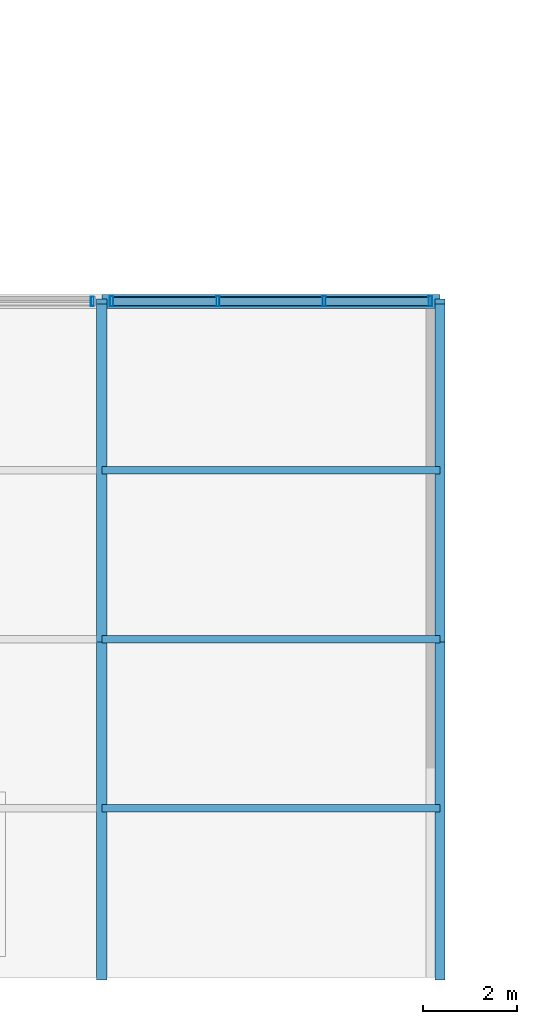
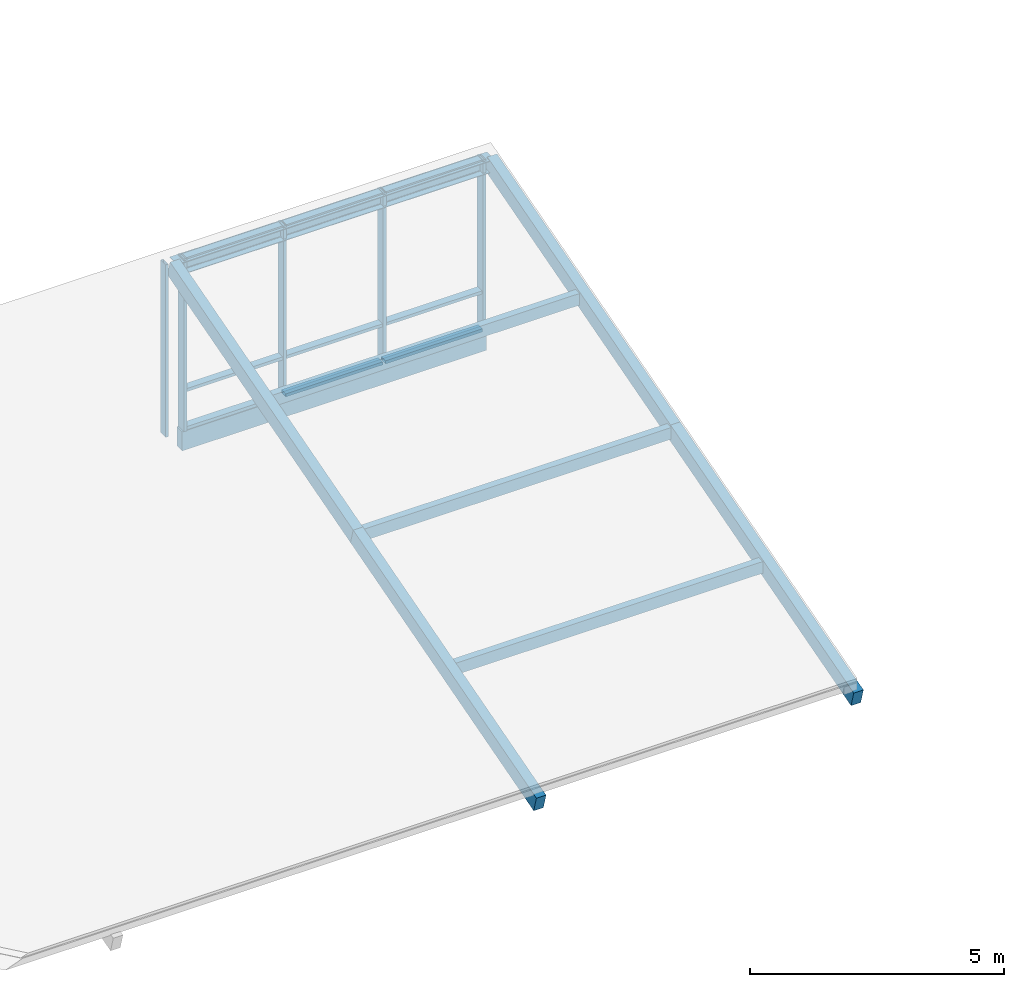
# One storey, part 20 of 32: 21 members, 2 beams, 2 elements without a shape of their own.
"""IFC4 building model written with IfcOpenShell, lengths in metres."""

from ifc_helpers import new_model, si_unit, direction, frame, origin, origin_2d, place, context, subcontext, project, spatial, rectangle, hollow_rectangle, i_section, extrude, material, material_profile, profile_set, type_object, element, aggregate, save


model = new_model("IFC4")

# Units and contexts
model_context = context("Model", 3, precision=1e-05, world=origin(), true_north=direction((0.0, 1.0)))
body_context = subcontext(model_context, "Body", "Model", "MODEL_VIEW")
ifc_project = project(units=[si_unit("LENGTHUNIT", "METRE"), si_unit("AREAUNIT", "SQUARE_METRE"), si_unit("VOLUMEUNIT", "CUBIC_METRE"), si_unit("PLANEANGLEUNIT", "RADIAN"), si_unit("MASSUNIT", "GRAM", prefix="KILO")], contexts=[model_context])

# Site, building, storey
site_placement = place(None, origin())
site = spatial("IfcSite", under=ifc_project, at=site_placement, CompositionType="ELEMENT")
building_placement = place(site_placement, origin())
building = spatial("IfcBuilding", under=site, at=building_placement, Name="Hawrajan Terrace Health Centre", CompositionType="ELEMENT")
storey_placement = place(building_placement, frame((0.0, 0.0, 17.39990234375)))
storey = spatial("IfcBuildingStorey", under=building, at=storey_placement, Name="L04", CompositionType="ELEMENT", Elevation=17.39990234375)

# Curtain wall, member
ifc_material_1 = material(Name="Anodized bronze aluminium and low-E solar glazing", Category="aluminium")
curtain_wall_type_1 = type_object("IfcCurtainWallType", Name="CW_Clerestory_SeriesG2", PredefinedType="USERDEFINED", material=ifc_material_1)
curtain_wall_1_placement = place(storey_placement, origin())
curtain_wall_1 = element("IfcCurtainWall", 1, at=curtain_wall_1_placement, inside=storey, type_object=curtain_wall_type_1, Name="Curtain wall CW-L04-CLER-184", ObjectType="UNITISED CURTAIN WALL", PredefinedType="USERDEFINED")
ifc_material_2 = material(Name="Anodized bronze aluminium 6063-T6", Category="aluminium")
ifc_material_profile_1 = material_profile(ifc_material_2, hollow_rectangle(XDim=0.06494140625, YDim=0.199951171875, WallThickness=0.00439453125, at=origin_2d()), Name="CW MUL 65x200")
ifc_profile_set_1 = profile_set([ifc_material_profile_1], Name="Anodized bronze aluminium 6063-T6")
member_type_1 = type_object("IfcMemberType", Name="CWMullion_65x200", PredefinedType="MULLION", material=ifc_profile_set_1)
member_1_placement = place(storey_placement, frame((100.3974609375, 18.60009765625, -0.204833984375), z_axis=(0.0, 0.0, 1.0), x_axis=(1.0, 0.0, 0.0)))
member_1 = element("IfcMember", 2, at=member_1_placement, type_object=member_type_1, Name="Mullion CW-L04-CLER-184-M5", PredefinedType="MULLION", context=body_context, shape_type="SweptSolid", body=[
    extrude(hollow_rectangle(XDim=0.06494140625, YDim=0.199951171875, WallThickness=0.00439453125, at=origin_2d()), origin(), (0.0, 0.0, 1.0), 4.138916015625),
])
aggregate(curtain_wall_1, [member_1])

# Curtain wall, members
curtain_wall_type_2 = type_object("IfcCurtainWallType", Name="CW_Clerestory_SeriesG1", PredefinedType="USERDEFINED", material=ifc_material_1)
curtain_wall_2_placement = place(storey_placement, origin())
curtain_wall_2 = element("IfcCurtainWall", 3, at=curtain_wall_2_placement, inside=storey, type_object=curtain_wall_type_2, Name="Curtain wall CW-L04-CLER-185", ObjectType="UNITISED CURTAIN WALL", PredefinedType="USERDEFINED")
ifc_material_profile_2 = material_profile(ifc_material_2, hollow_rectangle(XDim=0.074951171875, YDim=0.219970703125, WallThickness=0.0048828125, at=origin_2d()), Name="CW MUL 75x220")
ifc_profile_set_2 = profile_set([ifc_material_profile_2], Name="Anodized bronze aluminium 6063-T6")
member_type_2 = type_object("IfcMemberType", Name="CWMullion_75x220", PredefinedType="MULLION", material=ifc_profile_set_2)
member_2_placement = place(storey_placement, frame((100.8076171875, 18.60009765625, -0.204833984375), z_axis=(0.0, 0.0, 1.0), x_axis=(1.0, 0.0, 0.0)))
member_2 = element("IfcMember", 4, at=member_2_placement, type_object=member_type_2, Name="Mullion CW-L04-CLER-185-M1", PredefinedType="MULLION", context=body_context, shape_type="SweptSolid", body=[
    extrude(hollow_rectangle(XDim=0.074951171875, YDim=0.219970703125, WallThickness=0.0048828125, at=origin_2d()), origin(), (0.0, 0.0, 1.0), 4.138916015625),
])
member_3_placement = place(storey_placement, frame((103.069091796875, 18.60009765625, -0.204833984375), z_axis=(0.0, 0.0, 1.0), x_axis=(1.0, 0.0, 0.0)))
member_3 = element("IfcMember", 5, at=member_3_placement, type_object=member_type_2, Name="Mullion CW-L04-CLER-185-M2", PredefinedType="MULLION", context=body_context, shape_type="SweptSolid", body=[
    extrude(hollow_rectangle(XDim=0.074951171875, YDim=0.219970703125, WallThickness=0.0048828125, at=origin_2d()), origin(), (0.0, 0.0, 1.0), 4.138916015625),
])
member_4_placement = place(storey_placement, frame((105.330810546875, 18.60009765625, -0.204833984375), z_axis=(0.0, 0.0, 1.0), x_axis=(1.0, 0.0, 0.0)))
member_4 = element("IfcMember", 6, at=member_4_placement, type_object=member_type_2, Name="Mullion CW-L04-CLER-185-M3", PredefinedType="MULLION", context=body_context, shape_type="SweptSolid", body=[
    extrude(hollow_rectangle(XDim=0.074951171875, YDim=0.219970703125, WallThickness=0.0048828125, at=origin_2d()), origin(), (0.0, 0.0, 1.0), 4.138916015625),
])
member_5_placement = place(storey_placement, frame((107.592529296875, 18.60009765625, -0.204833984375), z_axis=(0.0, 0.0, 1.0), x_axis=(1.0, 0.0, 0.0)))
member_5 = element("IfcMember", 7, at=member_5_placement, type_object=member_type_2, Name="Mullion CW-L04-CLER-185-M4", PredefinedType="MULLION", context=body_context, shape_type="SweptSolid", body=[
    extrude(hollow_rectangle(XDim=0.074951171875, YDim=0.219970703125, WallThickness=0.0048828125, at=origin_2d()), origin(), (0.0, 0.0, 1.0), 4.138916015625),
])
ifc_material_profile_3 = material_profile(ifc_material_2, hollow_rectangle(XDim=0.074951171875, YDim=0.169921875, WallThickness=0.00439453125, at=origin_2d()), Name="CW TRN 75x170")
ifc_profile_set_3 = profile_set([ifc_material_profile_3], Name="Anodized bronze aluminium 6063-T6")
member_type_3 = type_object("IfcMemberType", Name="CWTransom_75x170", PredefinedType="USERDEFINED", material=ifc_profile_set_3)
member_6_placement = place(storey_placement, frame((100.839111328125, 18.60009765625, -0.162353515625), z_axis=(1.0, 0.0, 0.0), x_axis=(0.0, 0.0, 1.0)))
member_6 = element("IfcMember", 8, at=member_6_placement, type_object=member_type_3, Name="Transom CW-L04-CLER-185-T1-1", ObjectType="TRANSOM", PredefinedType="USERDEFINED", context=body_context, shape_type="SweptSolid", body=[
    extrude(hollow_rectangle(XDim=0.074951171875, YDim=0.169921875, WallThickness=0.00439453125, at=origin_2d()), origin(), (0.0, 0.0, 1.0), 2.198486328125),
])
member_7_placement = place(storey_placement, frame((100.839111328125, 18.60009765625, 0.75), z_axis=(1.0, 0.0, 0.0), x_axis=(0.0, 0.0, 1.0)))
member_7 = element("IfcMember", 9, at=member_7_placement, type_object=member_type_3, Name="Transom CW-L04-CLER-185-T1-2", ObjectType="TRANSOM", PredefinedType="USERDEFINED", context=body_context, shape_type="SweptSolid", body=[
    extrude(hollow_rectangle(XDim=0.074951171875, YDim=0.169921875, WallThickness=0.00439453125, at=origin_2d()), origin(), (0.0, 0.0, 1.0), 2.198486328125),
])
member_8_placement = place(storey_placement, frame((100.839111328125, 18.60009765625, 3.8916015625), z_axis=(1.0, 0.0, 0.0), x_axis=(0.0, 0.0, 1.0)))
member_8 = element("IfcMember", 10, at=member_8_placement, type_object=member_type_3, Name="Transom CW-L04-CLER-185-T1-3", ObjectType="TRANSOM", PredefinedType="USERDEFINED", context=body_context, shape_type="SweptSolid", body=[
    extrude(hollow_rectangle(XDim=0.074951171875, YDim=0.169921875, WallThickness=0.00439453125, at=origin_2d()), origin(), (0.0, 0.0, 1.0), 2.198486328125),
])
member_9_placement = place(storey_placement, frame((103.1005859375, 18.60009765625, -0.162353515625), z_axis=(1.0, 0.0, 0.0), x_axis=(0.0, 0.0, 1.0)))
member_9 = element("IfcMember", 11, at=member_9_placement, type_object=member_type_3, Name="Transom CW-L04-CLER-185-T2-1", ObjectType="TRANSOM", PredefinedType="USERDEFINED", context=body_context, shape_type="SweptSolid", body=[
    extrude(hollow_rectangle(XDim=0.074951171875, YDim=0.169921875, WallThickness=0.00439453125, at=origin_2d()), origin(), (0.0, 0.0, 1.0), 2.19873046875),
])
member_10_placement = place(storey_placement, frame((103.1005859375, 18.60009765625, 0.75), z_axis=(1.0, 0.0, 0.0), x_axis=(0.0, 0.0, 1.0)))
member_10 = element("IfcMember", 12, at=member_10_placement, type_object=member_type_3, Name="Transom CW-L04-CLER-185-T2-2", ObjectType="TRANSOM", PredefinedType="USERDEFINED", context=body_context, shape_type="SweptSolid", body=[
    extrude(hollow_rectangle(XDim=0.074951171875, YDim=0.169921875, WallThickness=0.00439453125, at=origin_2d()), origin(), (0.0, 0.0, 1.0), 2.19873046875),
])
member_11_placement = place(storey_placement, frame((103.1005859375, 18.60009765625, 3.8916015625), z_axis=(1.0, 0.0, 0.0), x_axis=(0.0, 0.0, 1.0)))
member_11 = element("IfcMember", 13, at=member_11_placement, type_object=member_type_3, Name="Transom CW-L04-CLER-185-T2-3", ObjectType="TRANSOM", PredefinedType="USERDEFINED", context=body_context, shape_type="SweptSolid", body=[
    extrude(hollow_rectangle(XDim=0.074951171875, YDim=0.169921875, WallThickness=0.00439453125, at=origin_2d()), origin(), (0.0, 0.0, 1.0), 2.19873046875),
])
member_12_placement = place(storey_placement, frame((105.3623046875, 18.60009765625, -0.162353515625), z_axis=(1.0, 0.0, 0.0), x_axis=(0.0, 0.0, 1.0)))
member_12 = element("IfcMember", 14, at=member_12_placement, type_object=member_type_3, Name="Transom CW-L04-CLER-185-T3-1", ObjectType="TRANSOM", PredefinedType="USERDEFINED", context=body_context, shape_type="SweptSolid", body=[
    extrude(hollow_rectangle(XDim=0.074951171875, YDim=0.169921875, WallThickness=0.00439453125, at=origin_2d()), origin(), (0.0, 0.0, 1.0), 2.19873046875),
])
member_13_placement = place(storey_placement, frame((105.3623046875, 18.60009765625, 0.75), z_axis=(1.0, 0.0, 0.0), x_axis=(0.0, 0.0, 1.0)))
member_13 = element("IfcMember", 15, at=member_13_placement, type_object=member_type_3, Name="Transom CW-L04-CLER-185-T3-2", ObjectType="TRANSOM", PredefinedType="USERDEFINED", context=body_context, shape_type="SweptSolid", body=[
    extrude(hollow_rectangle(XDim=0.074951171875, YDim=0.169921875, WallThickness=0.00439453125, at=origin_2d()), origin(), (0.0, 0.0, 1.0), 2.19873046875),
])
member_14_placement = place(storey_placement, frame((105.3623046875, 18.60009765625, 3.8916015625), z_axis=(1.0, 0.0, 0.0), x_axis=(0.0, 0.0, 1.0)))
member_14 = element("IfcMember", 16, at=member_14_placement, type_object=member_type_3, Name="Transom CW-L04-CLER-185-T3-3", ObjectType="TRANSOM", PredefinedType="USERDEFINED", context=body_context, shape_type="SweptSolid", body=[
    extrude(hollow_rectangle(XDim=0.074951171875, YDim=0.169921875, WallThickness=0.00439453125, at=origin_2d()), origin(), (0.0, 0.0, 1.0), 2.19873046875),
])
aggregate(curtain_wall_2, [member_2, member_3, member_4, member_5, member_6, member_7, member_8, member_9, member_10, member_11, member_12, member_13, member_14])

# Beam
ifc_material_3 = material(Name="Glulam GL32h", Category="wood")
ifc_material_profile_4 = material_profile(ifc_material_3, rectangle(XDim=0.199951171875, YDim=0.4599609375, at=origin_2d()), Name="GL SP 200x460")
ifc_profile_set_4 = profile_set([ifc_material_profile_4], Name="Glulam GL32h")
beam_type_1 = type_object("IfcBeamType", Name="GlulamSpandrel_200x460", PredefinedType="SPANDREL", material=ifc_profile_set_4)
beam_1_placement = place(storey_placement, frame((100.739990234375, 18.60009765625, -0.429931640625), z_axis=(1.0, 0.0, 0.0), x_axis=(0.0, 1.0, 0.0)))
element("IfcBeam", 17, at=beam_1_placement, inside=storey, type_object=beam_type_1, Name="Beam BM-X-L04-C-13-Y3", PredefinedType="SPANDREL", context=body_context, shape_type="SweptSolid", body=[
    extrude(rectangle(XDim=0.199951171875, YDim=0.4599609375, at=origin_2d()), origin(), (0.0, 0.0, 1.0), 6.89990234375),
])

# Members
ifc_material_4 = material(Name="Glulam GL28h", Category="wood")
ifc_material_profile_5 = material_profile(ifc_material_4, rectangle(XDim=0.159912109375, YDim=0.280029296875, at=origin_2d()), Name="GL PUR 160x280")
ifc_profile_set_5 = profile_set([ifc_material_profile_5], Name="Glulam GL28h")
member_type_4 = type_object("IfcMemberType", Name="RoofPurlin_160x280", PredefinedType="PURLIN", material=ifc_profile_set_5)
for number, where, z_axis, x_axis, name in (
    (18, (100.60009765625, 7.800048828125, 0.65234375), (1.0, 0.0, 0.0), (0.0, 1.0, 0.0), "North-light purlin C-4-1"),
    (19, (100.60009765625, 11.39990234375, 1.684814453125), (1.0, 0.0, 0.0), (0.0, 1.0, 0.0), "North-light purlin C-4-2"),
    (20, (100.60009765625, 15.0, 2.717041015625), (1.0, 0.0, 0.0), (0.0, 1.0, 0.0), "North-light purlin C-4-3"),
):
    element("IfcMember", number, at=place(storey_placement, frame(where, z_axis=z_axis, x_axis=x_axis)), inside=storey, type_object=member_type_4, Name=name, PredefinedType="PURLIN", context=body_context, shape_type="SweptSolid", body=[
        extrude(rectangle(XDim=0.159912109375, YDim=0.280029296875, at=origin_2d()), origin(), (0.0, 0.0, 1.0), 7.199951171875),
    ])
ifc_material_profile_6 = material_profile(ifc_material_3, rectangle(XDim=0.219970703125, YDim=0.3798828125, at=origin_2d()), Name="GL CHD 220x380")
ifc_profile_set_6 = profile_set([ifc_material_profile_6], Name="Glulam GL32h")
member_type_5 = type_object("IfcMemberType", Name="RoofRafter_220x380", PredefinedType="RAFTER", material=ifc_profile_set_6)
for number, where, z_axis, x_axis, name in (
    (21, (100.60009765625, 4.199951171875, -0.3798828125), (0.0, 0.961256584542, 0.275655180749), (-1.0, 0.0, 0.0), "North-light rafter S C-G13"),
    (22, (100.60009765625, 11.39990234375, 1.684814453125), (0.0, 0.961267697111, 0.275616426379), (-1.0, 0.0, 0.0), "North-light rafter N C-G13"),
    (23, (107.800048828125, 4.199951171875, -0.3798828125), (0.0, 0.961256584542, 0.275655180749), (-1.0, 0.0, 0.0), "North-light rafter S C-G14"),
    (24, (107.800048828125, 11.39990234375, 1.684814453125), (0.0, 0.961267697111, 0.275616426379), (-1.0, 0.0, 0.0), "North-light rafter N C-G14"),
):
    element("IfcMember", number, at=place(storey_placement, frame(where, z_axis=z_axis, x_axis=x_axis)), inside=storey, type_object=member_type_5, Name=name, PredefinedType="RAFTER", context=body_context, shape_type="SweptSolid", body=[
        extrude(rectangle(XDim=0.219970703125, YDim=0.3798828125, at=origin_2d()), origin(), (0.0, 0.0, 1.0), 7.490234375),
    ])

# Beam
ifc_material_5 = material(Name="Steel S355", Category="steel")
ifc_material_profile_7 = material_profile(ifc_material_5, i_section(OverallWidth=0.300048828125, OverallDepth=0.2900390625, WebThickness=0.008544921875, FlangeThickness=0.013916015625, FilletRadius=0.027099609375, at=origin_2d()), Name="HEA 300")
ifc_profile_set_7 = profile_set([ifc_material_profile_7], Name="Steel S355")
beam_type_2 = type_object("IfcBeamType", Name="SteelBeam_HEA300", PredefinedType="BEAM", material=ifc_profile_set_7)
beam_2_placement = place(storey_placement, frame((100.60009765625, 18.60009765625, 3.749267578125), z_axis=(1.0, 0.0, 0.0), x_axis=(0.0, 1.0, 0.0)))
element("IfcBeam", 25, at=beam_2_placement, inside=storey, type_object=beam_type_2, Name="Clerestory head beam C-4", PredefinedType="BEAM", context=body_context, shape_type="SweptSolid", body=[
    extrude(i_section(OverallWidth=0.300048828125, OverallDepth=0.2900390625, WebThickness=0.008544921875, FlangeThickness=0.013916015625, FilletRadius=0.027099609375, at=origin_2d()), origin(), (0.0, 0.0, 1.0), 7.199951171875),
])

save(model, "model.ifc")
